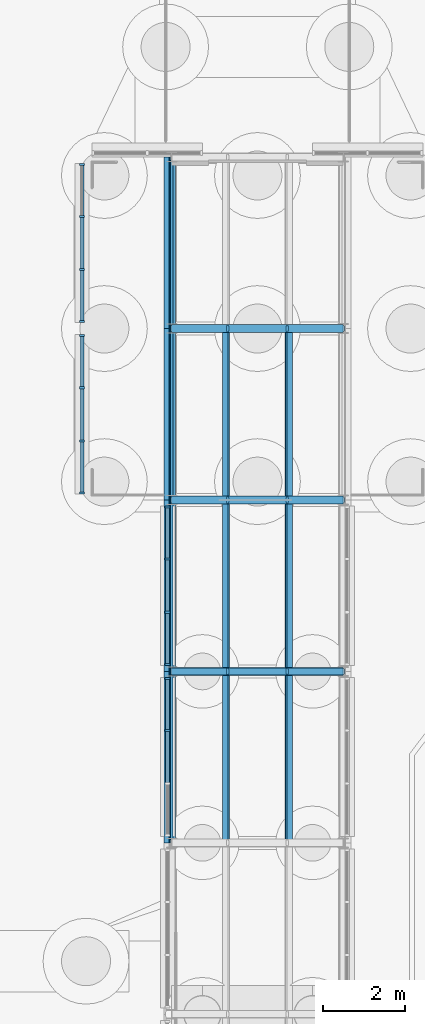
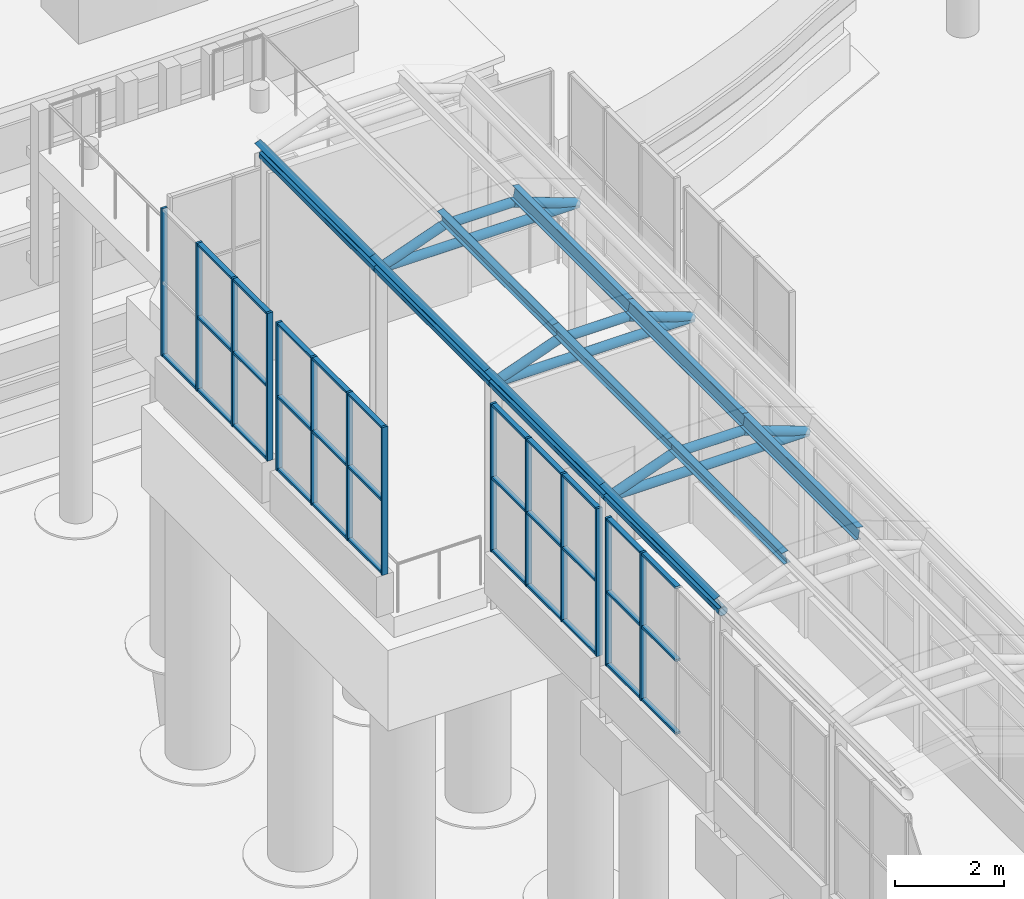
# One storey, part 70 of 222: 58 members, 13 beams, 4 elements without a shape of their own.
"""IFC4 building model written with IfcOpenShell, lengths in metres."""

import ifcopenshell
import ifcopenshell.guid

model = None  # the IFC model being written
_history = None  # IfcOwnerHistory: only IFC2X3 demands one
_inside = {}  # id of a spatial element -> (the spatial element, [elements in it])
_under = {}  # id of a project, library or spatial element -> (it, [spatial elements below it])
_declared = {}  # id of a project -> (the project, [libraries it declares])
_typed = {}  # id of a type object -> (the type object, [elements of that type])
_made_of = {}  # id of a material, layer set ... -> (it, [elements and type objects made of it])


def new_model(schema):
    """Start an empty IFC model of exactly this schema.

    Asked for "IFC4X3", IfcOpenShell would pick the latest addendum, in which some entities
    have other attributes; the version numbers below select the first issue.
    IFC2X3 requires an IfcOwnerHistory on every rooted entity: one is made here for all.
    """
    global model, _history
    if schema == "IFC4X3":
        model = ifcopenshell.file(schema_version=(4, 3, 0, 0))
    else:
        model = ifcopenshell.file(schema=schema)
    _inside.clear()
    _under.clear()
    _declared.clear()
    _typed.clear()
    _made_of.clear()
    _history = None
    if model.schema == "IFC2X3":
        org = make("IfcOrganization", Name="unknown")
        user = make(
            "IfcPersonAndOrganization",
            ThePerson=make("IfcPerson", FamilyName="unknown"),
            TheOrganization=org,
        )
        app = make(
            "IfcApplication",
            ApplicationDeveloper=org,
            Version="unknown",
            ApplicationFullName="unknown",
            ApplicationIdentifier="unknown",
        )
        _history = make(
            "IfcOwnerHistory",
            OwningUser=user,
            OwningApplication=app,
            ChangeAction="ADDED",
            CreationDate=0,
        )
    return model


def make(cls, **values):
    """One entity of the class cls with the attributes given. An attribute that is None is left unset."""
    return model.create_entity(
        cls, **{name: value for name, value in values.items() if value is not None}
    )


def rooted(cls, **values):
    """An entity with a GlobalId (a new one), such as an element, a storey or a relation."""
    return make(cls, GlobalId=ifcopenshell.guid.new(), OwnerHistory=_history, **values)


def si_unit(unit_type, name, prefix=None):
    """IfcSIUnit, for example si_unit("LENGTHUNIT", "METRE", prefix="MILLI")."""
    return make("IfcSIUnit", UnitType=unit_type, Prefix=prefix, Name=name)


def assignment(units):
    """IfcUnitAssignment: the units of a project."""
    return None if units is None else make("IfcUnitAssignment", Units=units)


def point(xyz):
    """IfcCartesianPoint."""
    return None if xyz is None else make("IfcCartesianPoint", Coordinates=xyz)


def direction(xyz):
    """IfcDirection."""
    return None if xyz is None else make("IfcDirection", DirectionRatios=xyz)


def frame(location, z_axis=None, x_axis=None):
    """IfcAxis2Placement3D, a coordinate frame: its origin and axes. An axis left out is left unset."""
    return make(
        "IfcAxis2Placement3D",
        Location=point(location),
        Axis=direction(z_axis),
        RefDirection=direction(x_axis),
    )


def frame_2d(location, x_axis=None):
    """IfcAxis2Placement2D, a coordinate frame in the plane: its origin and x axis."""
    return make(
        "IfcAxis2Placement2D", Location=point(location), RefDirection=direction(x_axis)
    )


def origin():
    """The frame at (0, 0, 0) with its axes left unset."""
    return frame((0.0, 0.0, 0.0))


def origin_2d():
    """The frame at (0, 0) in the plane with its x axis left unset."""
    return frame_2d((0.0, 0.0))


def place(relative_to, where):
    """IfcLocalPlacement: puts the frame where relative to a parent placement (None: the world)."""
    return make(
        "IfcLocalPlacement", PlacementRelTo=relative_to, RelativePlacement=where
    )


def context(
    kind, dimensions, precision=None, world=None, true_north=None, identifier=None
):
    """IfcGeometricRepresentationContext, for example the 3D "Model" context."""
    return make(
        "IfcGeometricRepresentationContext",
        ContextIdentifier=identifier,
        ContextType=kind,
        CoordinateSpaceDimension=dimensions,
        Precision=precision,
        WorldCoordinateSystem=world,
        TrueNorth=true_north,
    )


def subcontext(parent, identifier, kind, view, scale=None):
    """IfcGeometricRepresentationSubContext, for example "Body" below "Model"."""
    return make(
        "IfcGeometricRepresentationSubContext",
        ContextIdentifier=identifier,
        ContextType=kind,
        ParentContext=parent,
        TargetScale=scale,
        TargetView=view,
    )


def project(units=None, contexts=None):
    """IfcProject with its units and contexts."""
    return rooted(
        "IfcProject",
        Name="project",
        RepresentationContexts=contexts,
        UnitsInContext=assignment(units),
    )


def spatial(cls, under=None, at=None, **own):
    """A site, building, storey or space (cls), placed at a placement, below another one or the project."""
    s = rooted(cls, ObjectPlacement=at, **own)
    if under is not None:
        _under.setdefault(under.id(), (under, []))[1].append(s)
    return s


def profile(cls, at=None, kind="AREA", **sizes):
    """A parametric profile (cls). Its sizes go by their IFC names, for example OverallWidth=200.0."""
    return make(cls, ProfileType=kind, Position=at, **sizes)


def rectangle(**sizes):
    """IfcRectangleProfileDef."""
    return profile("IfcRectangleProfileDef", **sizes)


def hollow_circle(**sizes):
    """IfcCircleHollowProfileDef."""
    return profile("IfcCircleHollowProfileDef", **sizes)


def i_section(**sizes):
    """IfcIShapeProfileDef."""
    return profile("IfcIShapeProfileDef", **sizes)


def extrude(swept, where, along, depth):
    """IfcExtrudedAreaSolid: the profile swept, set in the frame where, extruded along a direction by depth."""
    return make(
        "IfcExtrudedAreaSolid",
        SweptArea=swept,
        Position=where,
        ExtrudedDirection=direction(along),
        Depth=depth,
    )


def shape(context_of_items, identifier, shape_type, items):
    """IfcShapeRepresentation: the items that make up one representation, for example the "Body"."""
    return make(
        "IfcShapeRepresentation",
        ContextOfItems=context_of_items,
        RepresentationIdentifier=identifier,
        RepresentationType=shape_type,
        Items=items,
    )


def material(Name=None, Category=None):
    """IfcMaterial."""
    return make("IfcMaterial", Name=Name, Category=Category)


def material_profile(
    of_material, cross_section, Name=None, Category=None, Priority=None
):
    """IfcMaterialProfile: a cross section and its material."""
    return make(
        "IfcMaterialProfile",
        Name=Name,
        Material=of_material,
        Profile=cross_section,
        Priority=Priority,
        Category=Category,
    )


def profile_set(profiles, Name=None, composite=None):
    """IfcMaterialProfileSet."""
    return make(
        "IfcMaterialProfileSet",
        Name=Name,
        MaterialProfiles=profiles,
        CompositeProfile=composite,
    )


def made_of(thing, what):
    """Note that an element or type object is made of a material, layer set ...; save() writes the relation."""
    if what is not None:
        _made_of.setdefault(what.id(), (what, []))[1].append(thing)
    return thing


def type_object(cls, material=None, **own):
    """A type object (cls), such as IfcWallType, which elements share."""
    return made_of(rooted(cls, **own), material)


def element(
    cls,
    number,
    at=None,
    inside=None,
    cuts=None,
    type_object=None,
    material=None,
    context=None,
    identifier="Body",
    shape_type=None,
    held_by="IfcProductDefinitionShape",
    body=None,
    shapes=None,
    **own,
):
    """One element of the class cls, such as IfcWall. Its Tag is "e" and its number.

    at: its placement. inside: the storey or other place that contains it. cuts: it is an
    opening in that element (IfcRelVoidsElement). A single representation is given by context,
    identifier, shape_type and body (its items); several are given by shapes. held_by: the class
    of the entity that holds the representations. save() writes the other relations.
    """
    e = rooted(cls, Tag="e%d" % number, ObjectPlacement=at, **own)
    if body is not None:
        shapes = [shape(context, identifier, shape_type, body)]
    if shapes is not None:
        e.Representation = make(held_by, Representations=shapes)
    if inside is not None:
        _inside.setdefault(inside.id(), (inside, []))[1].append(e)
    if cuts is not None:
        rooted(
            "IfcRelVoidsElement", RelatingBuildingElement=cuts, RelatedOpeningElement=e
        )
    if type_object is not None:
        _typed.setdefault(type_object.id(), (type_object, []))[1].append(e)
    return made_of(e, material)


def aggregate(whole, parts):
    """IfcRelAggregates: a whole, such as a stair, and the parts it consists of."""
    return rooted("IfcRelAggregates", RelatingObject=whole, RelatedObjects=parts)


def save(model, path):
    """Write the relations noted so far, then the file.

    IfcRelAggregates (storeys below a building ...), IfcRelContainedInSpatialStructure (elements
    in a storey), IfcRelDefinesByType, IfcRelAssociatesMaterial and IfcRelDeclares: one each for
    every whole, place, type object, material and project.
    """
    for whole, parts in _under.values():
        aggregate(whole, parts)
    for where, things in _inside.values():
        rooted(
            "IfcRelContainedInSpatialStructure",
            RelatedElements=things,
            RelatingStructure=where,
        )
    for kind, things in _typed.values():
        rooted("IfcRelDefinesByType", RelatedObjects=things, RelatingType=kind)
    for what, things in _made_of.values():
        rooted("IfcRelAssociatesMaterial", RelatedObjects=things, RelatingMaterial=what)
    for by, libraries in _declared.values():
        rooted("IfcRelDeclares", RelatingContext=by, RelatedDefinitions=libraries)
    model.write(path)


model = new_model("IFC4")

# Units and contexts
model_context = context("Model", 3, precision=1e-05, world=origin(), true_north=direction((0.0, 1.0)))
body_context = subcontext(model_context, "Body", "Model", "MODEL_VIEW")
ifc_project = project(units=[si_unit("LENGTHUNIT", "METRE"), si_unit("AREAUNIT", "SQUARE_METRE"), si_unit("VOLUMEUNIT", "CUBIC_METRE"), si_unit("PLANEANGLEUNIT", "RADIAN"), si_unit("MASSUNIT", "GRAM", prefix="KILO")], contexts=[model_context])

# Site, building, storey
site_placement = place(None, origin())
site = spatial("IfcSite", under=ifc_project, at=site_placement, CompositionType="ELEMENT")
building_placement = place(site_placement, origin())
building = spatial("IfcBuilding", under=site, at=building_placement, Name="Sava Quay Ferry Terminal", CompositionType="ELEMENT")
storey_placement = place(building_placement, origin())
storey = spatial("IfcBuildingStorey", under=building, at=storey_placement, Name="L00", CompositionType="ELEMENT", Elevation=0.0)

# Beams
ifc_material_1 = material(Name="Steel S355", Category="steel")
ifc_material_profile_1 = material_profile(ifc_material_1, hollow_circle(Radius=0.096923828125, WallThickness=0.008056640625, at=origin_2d()), Name="CHS 193.7 x 8.0")
ifc_profile_set_1 = profile_set([ifc_material_profile_1], Name="Steel S355")
beam_type_1 = type_object("IfcBeamType", Name="Gallery eave beam CHS 193.7x8", PredefinedType="BEAM", material=ifc_profile_set_1)
for number, where, z_axis, x_axis, name in (
    (1, (75.60009765625, 126.0, 4.5), (0.0, 1.0, 0.0), (-1.0, 0.0, 0.0), "Boarding gallery B2 eave beam L5"),
    (2, (75.60009765625, 130.199951171875, 4.5), (0.0, 1.0, 0.0), (-1.0, 0.0, 0.0), "Boarding gallery B2 eave beam L6"),
):
    element("IfcBeam", number, at=place(storey_placement, frame(where, z_axis=z_axis, x_axis=x_axis)), inside=storey, type_object=beam_type_1, Name=name, PredefinedType="BEAM", context=body_context, shape_type="SweptSolid", body=[
        extrude(hollow_circle(Radius=0.096923828125, WallThickness=0.008056640625, at=origin_2d()), origin(), (0.0, 0.0, 1.0), 4.199951171875),
    ])
beam_1_placement = place(storey_placement, frame((75.60009765625, 134.39990234375, 4.5), z_axis=(0.0, 1.0, 0.0), x_axis=(-1.0, 0.0, 0.0)))
element("IfcBeam", 3, at=beam_1_placement, inside=storey, type_object=beam_type_1, Name="Boarding gallery B2 eave beam L7", PredefinedType="BEAM", context=body_context, shape_type="SweptSolid", body=[
    extrude(hollow_circle(Radius=0.096923828125, WallThickness=0.008056640625, at=origin_2d()), origin(), (0.0, 0.0, 1.0), 4.2001953125),
])
beam_2_placement = place(storey_placement, frame((75.60009765625, 138.60009765625, 4.5), z_axis=(0.0, 1.0, 0.0), x_axis=(-1.0, 0.0, 0.0)))
element("IfcBeam", 4, at=beam_2_placement, inside=storey, type_object=beam_type_1, Name="Boarding gallery B2 eave beam L8", PredefinedType="BEAM", context=body_context, shape_type="SweptSolid", body=[
    extrude(hollow_circle(Radius=0.096923828125, WallThickness=0.008056640625, at=origin_2d()), origin(), (0.0, 0.0, 1.0), 4.199951171875),
])

# Members
ifc_material_2 = material(Name="Steel S355", Category="steel")
ifc_material_profile_2 = material_profile(ifc_material_2, i_section(OverallWidth=0.135009765625, OverallDepth=0.27001953125, WebThickness=0.006591796875, FlangeThickness=0.01025390625, at=origin_2d()), Name="IPE 270")
ifc_profile_set_2 = profile_set([ifc_material_profile_2], Name="Steel S355")
member_type_1 = type_object("IfcMemberType", Name="Gallery purlin IPE 270", PredefinedType="PURLIN", material=ifc_profile_set_2)
for number, where, z_axis, x_axis, name in (
    (5, (75.520751953125, 126.0, 4.718017578125), (0.0, 1.0, 0.0), (-0.939692620786, 0.0, -0.342020143326), "Boarding gallery B2 edge purlin bay 5 V0"),
    (6, (76.9296875, 126.0, 5.230712890625), (0.0, 1.0, 0.0), (-0.984807753012, 0.0, -0.173648177667), "Boarding gallery B2 purlin bay 5 V1"),
    (7, (78.47021484375, 126.0, 5.230712890625), (0.0, 1.0, 0.0), (-0.984807753012, 0.0, 0.173648177667), "Boarding gallery B2 purlin bay 5 V2"),
    (8, (75.520751953125, 130.199951171875, 4.718017578125), (0.0, 1.0, 0.0), (-0.939692620786, 0.0, -0.342020143326), "Boarding gallery B2 edge purlin bay 6 V0"),
    (9, (76.9296875, 130.199951171875, 5.230712890625), (0.0, 1.0, 0.0), (-0.984807753012, 0.0, -0.173648177667), "Boarding gallery B2 purlin bay 6 V1"),
    (10, (78.47021484375, 130.199951171875, 5.230712890625), (0.0, 1.0, 0.0), (-0.984807753012, 0.0, 0.173648177667), "Boarding gallery B2 purlin bay 6 V2"),
):
    element("IfcMember", number, at=place(storey_placement, frame(where, z_axis=z_axis, x_axis=x_axis)), inside=storey, type_object=member_type_1, Name=name, PredefinedType="PURLIN", context=body_context, shape_type="SweptSolid", body=[
        extrude(i_section(OverallWidth=0.135009765625, OverallDepth=0.27001953125, WebThickness=0.006591796875, FlangeThickness=0.01025390625, at=origin_2d()), origin(), (0.0, 0.0, 1.0), 4.199951171875),
    ])
for number, where, z_axis, x_axis, name in (
    (11, (75.520751953125, 134.39990234375, 4.718017578125), (0.0, 1.0, 0.0), (-0.939692620786, 0.0, -0.342020143326), "Boarding gallery B2 edge purlin bay 7 V0"),
    (12, (76.9296875, 134.39990234375, 5.230712890625), (0.0, 1.0, 0.0), (-0.984807753012, 0.0, -0.173648177667), "Boarding gallery B2 purlin bay 7 V1"),
    (13, (78.47021484375, 134.39990234375, 5.230712890625), (0.0, 1.0, 0.0), (-0.984807753012, 0.0, 0.173648177667), "Boarding gallery B2 purlin bay 7 V2"),
):
    element("IfcMember", number, at=place(storey_placement, frame(where, z_axis=z_axis, x_axis=x_axis)), inside=storey, type_object=member_type_1, Name=name, PredefinedType="PURLIN", context=body_context, shape_type="SweptSolid", body=[
        extrude(i_section(OverallWidth=0.135009765625, OverallDepth=0.27001953125, WebThickness=0.006591796875, FlangeThickness=0.01025390625, at=origin_2d()), origin(), (0.0, 0.0, 1.0), 4.2001953125),
    ])
member_1_placement = place(storey_placement, frame((75.520751953125, 138.60009765625, 4.718017578125), z_axis=(0.0, 1.0, 0.0), x_axis=(-0.939692620786, 0.0, -0.342020143326)))
element("IfcMember", 14, at=member_1_placement, inside=storey, type_object=member_type_1, Name="Boarding gallery B2 edge purlin bay 8 V0", PredefinedType="PURLIN", context=body_context, shape_type="SweptSolid", body=[
    extrude(i_section(OverallWidth=0.135009765625, OverallDepth=0.27001953125, WebThickness=0.006591796875, FlangeThickness=0.01025390625, at=origin_2d()), origin(), (0.0, 0.0, 1.0), 4.199951171875),
])

# Beams
ifc_material_3 = material(Name="Steel S355", Category="steel")
ifc_material_profile_3 = material_profile(ifc_material_3, hollow_circle(Radius=0.096923828125, WallThickness=0.008056640625, at=origin_2d()), Name="CHS 193.7 x 8.0")
ifc_profile_set_3 = profile_set([ifc_material_profile_3], Name="Steel S355")
beam_type_2 = type_object("IfcBeamType", Name="Gallery rib CHS 193.7x8", PredefinedType="BEAM", material=ifc_profile_set_3)
beam_3_placement = place(storey_placement, frame((75.60009765625, 130.199951171875, 4.5), z_axis=(0.939710313144, 0.0, 0.341971530059), x_axis=(0.0, 1.0, 0.0)))
element("IfcBeam", 15, at=beam_3_placement, inside=storey, type_object=beam_type_2, Name="Boarding gallery B2 arch rib R5 seg 1", PredefinedType="BEAM", context=body_context, shape_type="SweptSolid", body=[
    extrude(hollow_circle(Radius=0.096923828125, WallThickness=0.008056640625, at=origin_2d()), origin(), (0.0, 0.0, 1.0), 1.45849609375),
])
beam_4_placement = place(storey_placement, frame((76.970703125, 130.199951171875, 4.998779296875), z_axis=(1.0, 0.0, 0.0), x_axis=(0.0, 1.0, 0.0)))
element("IfcBeam", 16, at=beam_4_placement, inside=storey, type_object=beam_type_2, Name="Boarding gallery B2 arch rib R5 seg 2", PredefinedType="BEAM", context=body_context, shape_type="SweptSolid", body=[
    extrude(hollow_circle(Radius=0.096923828125, WallThickness=0.008056640625, at=origin_2d()), origin(), (0.0, 0.0, 1.0), 1.458740234375),
])
for number, where, z_axis, x_axis, name in (
    (17, (78.429443359375, 130.199951171875, 4.998779296875), (0.939710313144, 0.0, -0.341971530059), (0.0, 1.0, 0.0), "Boarding gallery B2 arch rib R5 seg 3"),
    (18, (75.60009765625, 134.39990234375, 4.5), (0.939710313144, 0.0, 0.341971530059), (0.0, 1.0, 0.0), "Boarding gallery B2 arch rib R6 seg 1"),
):
    element("IfcBeam", number, at=place(storey_placement, frame(where, z_axis=z_axis, x_axis=x_axis)), inside=storey, type_object=beam_type_2, Name=name, PredefinedType="BEAM", context=body_context, shape_type="SweptSolid", body=[
        extrude(hollow_circle(Radius=0.096923828125, WallThickness=0.008056640625, at=origin_2d()), origin(), (0.0, 0.0, 1.0), 1.45849609375),
    ])
beam_5_placement = place(storey_placement, frame((76.970703125, 134.39990234375, 4.998779296875), z_axis=(1.0, 0.0, 0.0), x_axis=(0.0, 1.0, 0.0)))
element("IfcBeam", 19, at=beam_5_placement, inside=storey, type_object=beam_type_2, Name="Boarding gallery B2 arch rib R6 seg 2", PredefinedType="BEAM", context=body_context, shape_type="SweptSolid", body=[
    extrude(hollow_circle(Radius=0.096923828125, WallThickness=0.008056640625, at=origin_2d()), origin(), (0.0, 0.0, 1.0), 1.458740234375),
])
for number, where, z_axis, x_axis, name in (
    (20, (78.429443359375, 134.39990234375, 4.998779296875), (0.939710313144, 0.0, -0.341971530059), (0.0, 1.0, 0.0), "Boarding gallery B2 arch rib R6 seg 3"),
    (21, (75.60009765625, 138.60009765625, 4.5), (0.939710313144, 0.0, 0.341971530059), (0.0, 1.0, 0.0), "Boarding gallery B2 arch rib R7 seg 1"),
):
    element("IfcBeam", number, at=place(storey_placement, frame(where, z_axis=z_axis, x_axis=x_axis)), inside=storey, type_object=beam_type_2, Name=name, PredefinedType="BEAM", context=body_context, shape_type="SweptSolid", body=[
        extrude(hollow_circle(Radius=0.096923828125, WallThickness=0.008056640625, at=origin_2d()), origin(), (0.0, 0.0, 1.0), 1.45849609375),
    ])
beam_6_placement = place(storey_placement, frame((76.970703125, 138.60009765625, 4.998779296875), z_axis=(1.0, 0.0, 0.0), x_axis=(0.0, 1.0, 0.0)))
element("IfcBeam", 22, at=beam_6_placement, inside=storey, type_object=beam_type_2, Name="Boarding gallery B2 arch rib R7 seg 2", PredefinedType="BEAM", context=body_context, shape_type="SweptSolid", body=[
    extrude(hollow_circle(Radius=0.096923828125, WallThickness=0.008056640625, at=origin_2d()), origin(), (0.0, 0.0, 1.0), 1.458740234375),
])
beam_7_placement = place(storey_placement, frame((78.429443359375, 138.60009765625, 4.998779296875), z_axis=(0.939710313144, 0.0, -0.341971530059), x_axis=(0.0, 1.0, 0.0)))
element("IfcBeam", 23, at=beam_7_placement, inside=storey, type_object=beam_type_2, Name="Boarding gallery B2 arch rib R7 seg 3", PredefinedType="BEAM", context=body_context, shape_type="SweptSolid", body=[
    extrude(hollow_circle(Radius=0.096923828125, WallThickness=0.008056640625, at=origin_2d()), origin(), (0.0, 0.0, 1.0), 1.45849609375),
])

# Members
ifc_material_4 = material(Name="Steel S355", Category="steel")
ifc_material_profile_4 = material_profile(ifc_material_4, hollow_circle(Radius=0.096923828125, WallThickness=0.008056640625, at=origin_2d()), Name="CHS 193.7 x 8.0")
ifc_profile_set_4 = profile_set([ifc_material_profile_4], Name="Steel S355")
member_type_2 = type_object("IfcMemberType", Name="Gallery tie CHS 193.7x8", PredefinedType="USERDEFINED", material=ifc_profile_set_4)
for number, where, z_axis, x_axis, name in (
    (24, (75.60009765625, 130.199951171875, 4.5), (1.0, 0.0, 0.0), (0.0, 1.0, 0.0), "Boarding gallery B2 arch tie R5"),
    (25, (75.60009765625, 134.39990234375, 4.5), (1.0, 0.0, 0.0), (0.0, 1.0, 0.0), "Boarding gallery B2 arch tie R6"),
    (26, (75.60009765625, 138.60009765625, 4.5), (1.0, 0.0, 0.0), (0.0, 1.0, 0.0), "Boarding gallery B2 arch tie R7"),
):
    element("IfcMember", number, at=place(storey_placement, frame(where, z_axis=z_axis, x_axis=x_axis)), inside=storey, type_object=member_type_2, Name=name, ObjectType="ARCH TIE", PredefinedType="USERDEFINED", context=body_context, shape_type="SweptSolid", body=[
        extrude(hollow_circle(Radius=0.096923828125, WallThickness=0.008056640625, at=origin_2d()), origin(), (0.0, 0.0, 1.0), 4.199951171875),
    ])

# Curtain wall, members
ifc_material_5 = material(Name="Aluminium and glass curtain wall, double glazed", Category="aluminium")
curtain_wall_type = type_object("IfcCurtainWallType", Name="Curtain wall CW-B gallery", PredefinedType="NOTDEFINED", material=ifc_material_5)
curtain_wall_1_placement = place(storey_placement, origin())
curtain_wall_1 = element("IfcCurtainWall", 27, at=curtain_wall_1_placement, inside=storey, type_object=curtain_wall_type, Name="Curtain wall B2-HW L00 bay 1", PredefinedType="NOTDEFINED")
ifc_material_6 = material(Name="Aluminium EN AW-6063 T6", Category="aluminium")
ifc_material_profile_5 = material_profile(ifc_material_6, rectangle(XDim=0.1201171875, YDim=0.050048828125, at=origin_2d()), Name="Mullion 50x120 aluminium")
ifc_profile_set_5 = profile_set([ifc_material_profile_5], Name="Aluminium EN AW-6063 T6")
member_type_3 = type_object("IfcMemberType", Name="Mullion 50x120 aluminium", PredefinedType="MULLION", material=ifc_profile_set_5)
member_2_placement = place(storey_placement, frame((73.39990234375, 134.574951171875, 0.89990234375), z_axis=(0.0, 0.0, 1.0), x_axis=(-1.0, 0.0, 0.0)))
member_2 = element("IfcMember", 28, at=member_2_placement, type_object=member_type_3, Name="CW29 mullion 1", PredefinedType="MULLION", context=body_context, shape_type="SweptSolid", body=[
    extrude(rectangle(XDim=0.1201171875, YDim=0.050048828125, at=origin_2d()), origin(), (0.0, 0.0, 1.0), 3.300048828125),
])
member_3_placement = place(storey_placement, frame((73.39990234375, 135.85009765625, 0.89990234375), z_axis=(0.0, 0.0, 1.0), x_axis=(-1.0, 0.0, 0.0)))
member_3 = element("IfcMember", 29, at=member_3_placement, type_object=member_type_3, Name="CW29 mullion 2", PredefinedType="MULLION", context=body_context, shape_type="SweptSolid", body=[
    extrude(rectangle(XDim=0.1201171875, YDim=0.050048828125, at=origin_2d()), origin(), (0.0, 0.0, 1.0), 3.300048828125),
])
member_4_placement = place(storey_placement, frame((73.39990234375, 137.14990234375, 0.89990234375), z_axis=(0.0, 0.0, 1.0), x_axis=(-1.0, 0.0, 0.0)))
member_4 = element("IfcMember", 30, at=member_4_placement, type_object=member_type_3, Name="CW29 mullion 3", PredefinedType="MULLION", context=body_context, shape_type="SweptSolid", body=[
    extrude(rectangle(XDim=0.1201171875, YDim=0.050048828125, at=origin_2d()), origin(), (0.0, 0.0, 1.0), 3.300048828125),
])
member_5_placement = place(storey_placement, frame((73.39990234375, 138.425048828125, 0.89990234375), z_axis=(0.0, 0.0, 1.0), x_axis=(-1.0, 0.0, 0.0)))
member_5 = element("IfcMember", 31, at=member_5_placement, type_object=member_type_3, Name="CW29 mullion 4", PredefinedType="MULLION", context=body_context, shape_type="SweptSolid", body=[
    extrude(rectangle(XDim=0.1201171875, YDim=0.050048828125, at=origin_2d()), origin(), (0.0, 0.0, 1.0), 3.300048828125),
])

curtain_wall_2_placement = place(storey_placement, origin())
curtain_wall_2 = element("IfcCurtainWall", 32, at=curtain_wall_2_placement, inside=storey, type_object=curtain_wall_type, Name="Curtain wall B2-HW L00 bay 2", PredefinedType="NOTDEFINED")
member_6_placement = place(storey_placement, frame((73.39990234375, 138.77490234375, 0.89990234375), z_axis=(0.0, 0.0, 1.0), x_axis=(-1.0, 0.0, 0.0)))
member_6 = element("IfcMember", 33, at=member_6_placement, type_object=member_type_3, Name="CW30 mullion 1", PredefinedType="MULLION", context=body_context, shape_type="SweptSolid", body=[
    extrude(rectangle(XDim=0.1201171875, YDim=0.050048828125, at=origin_2d()), origin(), (0.0, 0.0, 1.0), 3.300048828125),
])
member_7_placement = place(storey_placement, frame((73.39990234375, 140.050048828125, 0.89990234375), z_axis=(0.0, 0.0, 1.0), x_axis=(-1.0, 0.0, 0.0)))
member_7 = element("IfcMember", 34, at=member_7_placement, type_object=member_type_3, Name="CW30 mullion 2", PredefinedType="MULLION", context=body_context, shape_type="SweptSolid", body=[
    extrude(rectangle(XDim=0.1201171875, YDim=0.050048828125, at=origin_2d()), origin(), (0.0, 0.0, 1.0), 3.300048828125),
])
member_8_placement = place(storey_placement, frame((73.39990234375, 141.35009765625, 0.89990234375), z_axis=(0.0, 0.0, 1.0), x_axis=(-1.0, 0.0, 0.0)))
member_8 = element("IfcMember", 35, at=member_8_placement, type_object=member_type_3, Name="CW30 mullion 3", PredefinedType="MULLION", context=body_context, shape_type="SweptSolid", body=[
    extrude(rectangle(XDim=0.1201171875, YDim=0.050048828125, at=origin_2d()), origin(), (0.0, 0.0, 1.0), 3.300048828125),
])
member_9_placement = place(storey_placement, frame((73.39990234375, 142.625, 0.89990234375), z_axis=(0.0, 0.0, 1.0), x_axis=(-1.0, 0.0, 0.0)))
member_9 = element("IfcMember", 36, at=member_9_placement, type_object=member_type_3, Name="CW30 mullion 4", PredefinedType="MULLION", context=body_context, shape_type="SweptSolid", body=[
    extrude(rectangle(XDim=0.1201171875, YDim=0.050048828125, at=origin_2d()), origin(), (0.0, 0.0, 1.0), 3.300048828125),
])

curtain_wall_3_placement = place(storey_placement, origin())
curtain_wall_3 = element("IfcCurtainWall", 37, at=curtain_wall_3_placement, inside=storey, type_object=curtain_wall_type, Name="Curtain wall B2-W L00 bay 5", PredefinedType="NOTDEFINED")
member_10_placement = place(storey_placement, frame((75.5, 128.75, 0.89990234375), z_axis=(0.0, 0.0, 1.0), x_axis=(-1.0, 0.0, 0.0)))
member_10 = element("IfcMember", 38, at=member_10_placement, type_object=member_type_3, Name="CW35 mullion 3", PredefinedType="MULLION", context=body_context, shape_type="SweptSolid", body=[
    extrude(rectangle(XDim=0.1201171875, YDim=0.050048828125, at=origin_2d()), origin(), (0.0, 0.0, 1.0), 3.300048828125),
])
member_11_placement = place(storey_placement, frame((75.5, 130.02490234375, 0.89990234375), z_axis=(0.0, 0.0, 1.0), x_axis=(-1.0, 0.0, 0.0)))
member_11 = element("IfcMember", 39, at=member_11_placement, type_object=member_type_3, Name="CW35 mullion 4", PredefinedType="MULLION", context=body_context, shape_type="SweptSolid", body=[
    extrude(rectangle(XDim=0.1201171875, YDim=0.050048828125, at=origin_2d()), origin(), (0.0, 0.0, 1.0), 3.300048828125),
])

curtain_wall_4_placement = place(storey_placement, origin())
curtain_wall_4 = element("IfcCurtainWall", 40, at=curtain_wall_4_placement, inside=storey, type_object=curtain_wall_type, Name="Curtain wall B2-W L00 bay 6", PredefinedType="NOTDEFINED")
member_12_placement = place(storey_placement, frame((75.5, 130.375, 0.89990234375), z_axis=(0.0, 0.0, 1.0), x_axis=(-1.0, 0.0, 0.0)))
member_12 = element("IfcMember", 41, at=member_12_placement, type_object=member_type_3, Name="CW36 mullion 1", PredefinedType="MULLION", context=body_context, shape_type="SweptSolid", body=[
    extrude(rectangle(XDim=0.1201171875, YDim=0.050048828125, at=origin_2d()), origin(), (0.0, 0.0, 1.0), 3.300048828125),
])
member_13_placement = place(storey_placement, frame((75.5, 131.64990234375, 0.89990234375), z_axis=(0.0, 0.0, 1.0), x_axis=(-1.0, 0.0, 0.0)))
member_13 = element("IfcMember", 42, at=member_13_placement, type_object=member_type_3, Name="CW36 mullion 2", PredefinedType="MULLION", context=body_context, shape_type="SweptSolid", body=[
    extrude(rectangle(XDim=0.1201171875, YDim=0.050048828125, at=origin_2d()), origin(), (0.0, 0.0, 1.0), 3.300048828125),
])
member_14_placement = place(storey_placement, frame((75.5, 132.949951171875, 0.89990234375), z_axis=(0.0, 0.0, 1.0), x_axis=(-1.0, 0.0, 0.0)))
member_14 = element("IfcMember", 43, at=member_14_placement, type_object=member_type_3, Name="CW36 mullion 3", PredefinedType="MULLION", context=body_context, shape_type="SweptSolid", body=[
    extrude(rectangle(XDim=0.1201171875, YDim=0.050048828125, at=origin_2d()), origin(), (0.0, 0.0, 1.0), 3.300048828125),
])
member_15_placement = place(storey_placement, frame((75.5, 134.22509765625, 0.89990234375), z_axis=(0.0, 0.0, 1.0), x_axis=(-1.0, 0.0, 0.0)))
member_15 = element("IfcMember", 44, at=member_15_placement, type_object=member_type_3, Name="CW36 mullion 4", PredefinedType="MULLION", context=body_context, shape_type="SweptSolid", body=[
    extrude(rectangle(XDim=0.1201171875, YDim=0.050048828125, at=origin_2d()), origin(), (0.0, 0.0, 1.0), 3.300048828125),
])

# Member
ifc_material_7 = material(Name="Aluminium EN AW-6063 T6", Category="aluminium")
ifc_material_profile_6 = material_profile(ifc_material_7, rectangle(XDim=0.10009765625, YDim=0.050048828125, at=origin_2d()), Name="Transom 50x100 aluminium")
ifc_profile_set_6 = profile_set([ifc_material_profile_6], Name="Aluminium EN AW-6063 T6")
member_type_4 = type_object("IfcMemberType", Name="Transom 50x100 aluminium", PredefinedType="USERDEFINED", material=ifc_profile_set_6)
member_16_placement = place(storey_placement, frame((73.39990234375, 134.60009765625, 0.925048828125), z_axis=(0.0, 1.0, 0.0), x_axis=(-1.0, 0.0, 0.0)))
member_16 = element("IfcMember", 45, at=member_16_placement, type_object=member_type_4, Name="CW29 transom 1.1", ObjectType="TRANSOM", PredefinedType="USERDEFINED", context=body_context, shape_type="SweptSolid", body=[
    extrude(rectangle(XDim=0.10009765625, YDim=0.050048828125, at=origin_2d()), origin(), (0.0, 0.0, 1.0), 1.224853515625),
])

member_17_placement = place(storey_placement, frame((73.39990234375, 134.60009765625, 2.550048828125), z_axis=(0.0, 1.0, 0.0), x_axis=(-1.0, 0.0, 0.0)))
member_17 = element("IfcMember", 46, at=member_17_placement, type_object=member_type_4, Name="CW29 transom 1.2", ObjectType="TRANSOM", PredefinedType="USERDEFINED", context=body_context, shape_type="SweptSolid", body=[
    extrude(rectangle(XDim=0.10009765625, YDim=0.050048828125, at=origin_2d()), origin(), (0.0, 0.0, 1.0), 1.224853515625),
])

member_18_placement = place(storey_placement, frame((73.39990234375, 134.60009765625, 4.175048828125), z_axis=(0.0, 1.0, 0.0), x_axis=(-1.0, 0.0, 0.0)))
member_18 = element("IfcMember", 47, at=member_18_placement, type_object=member_type_4, Name="CW29 transom 1.3", ObjectType="TRANSOM", PredefinedType="USERDEFINED", context=body_context, shape_type="SweptSolid", body=[
    extrude(rectangle(XDim=0.10009765625, YDim=0.050048828125, at=origin_2d()), origin(), (0.0, 0.0, 1.0), 1.224853515625),
])

member_19_placement = place(storey_placement, frame((73.39990234375, 135.875, 0.925048828125), z_axis=(0.0, 1.0, 0.0), x_axis=(-1.0, 0.0, 0.0)))
member_19 = element("IfcMember", 48, at=member_19_placement, type_object=member_type_4, Name="CW29 transom 2.1", ObjectType="TRANSOM", PredefinedType="USERDEFINED", context=body_context, shape_type="SweptSolid", body=[
    extrude(rectangle(XDim=0.10009765625, YDim=0.050048828125, at=origin_2d()), origin(), (0.0, 0.0, 1.0), 1.25),
])

member_20_placement = place(storey_placement, frame((73.39990234375, 135.875, 2.550048828125), z_axis=(0.0, 1.0, 0.0), x_axis=(-1.0, 0.0, 0.0)))
member_20 = element("IfcMember", 49, at=member_20_placement, type_object=member_type_4, Name="CW29 transom 2.2", ObjectType="TRANSOM", PredefinedType="USERDEFINED", context=body_context, shape_type="SweptSolid", body=[
    extrude(rectangle(XDim=0.10009765625, YDim=0.050048828125, at=origin_2d()), origin(), (0.0, 0.0, 1.0), 1.25),
])

member_21_placement = place(storey_placement, frame((73.39990234375, 135.875, 4.175048828125), z_axis=(0.0, 1.0, 0.0), x_axis=(-1.0, 0.0, 0.0)))
member_21 = element("IfcMember", 50, at=member_21_placement, type_object=member_type_4, Name="CW29 transom 2.3", ObjectType="TRANSOM", PredefinedType="USERDEFINED", context=body_context, shape_type="SweptSolid", body=[
    extrude(rectangle(XDim=0.10009765625, YDim=0.050048828125, at=origin_2d()), origin(), (0.0, 0.0, 1.0), 1.25),
])

member_22_placement = place(storey_placement, frame((73.39990234375, 137.175048828125, 0.925048828125), z_axis=(0.0, 1.0, 0.0), x_axis=(-1.0, 0.0, 0.0)))
member_22 = element("IfcMember", 51, at=member_22_placement, type_object=member_type_4, Name="CW29 transom 3.1", ObjectType="TRANSOM", PredefinedType="USERDEFINED", context=body_context, shape_type="SweptSolid", body=[
    extrude(rectangle(XDim=0.10009765625, YDim=0.050048828125, at=origin_2d()), origin(), (0.0, 0.0, 1.0), 1.224853515625),
])

member_23_placement = place(storey_placement, frame((73.39990234375, 137.175048828125, 2.550048828125), z_axis=(0.0, 1.0, 0.0), x_axis=(-1.0, 0.0, 0.0)))
member_23 = element("IfcMember", 52, at=member_23_placement, type_object=member_type_4, Name="CW29 transom 3.2", ObjectType="TRANSOM", PredefinedType="USERDEFINED", context=body_context, shape_type="SweptSolid", body=[
    extrude(rectangle(XDim=0.10009765625, YDim=0.050048828125, at=origin_2d()), origin(), (0.0, 0.0, 1.0), 1.224853515625),
])

member_24_placement = place(storey_placement, frame((73.39990234375, 137.175048828125, 4.175048828125), z_axis=(0.0, 1.0, 0.0), x_axis=(-1.0, 0.0, 0.0)))
member_24 = element("IfcMember", 53, at=member_24_placement, type_object=member_type_4, Name="CW29 transom 3.3", ObjectType="TRANSOM", PredefinedType="USERDEFINED", context=body_context, shape_type="SweptSolid", body=[
    extrude(rectangle(XDim=0.10009765625, YDim=0.050048828125, at=origin_2d()), origin(), (0.0, 0.0, 1.0), 1.224853515625),
])

aggregate(curtain_wall_1, [member_2, member_3, member_4, member_5, member_16, member_17, member_18, member_19, member_20, member_21, member_22, member_23, member_24])

member_25_placement = place(storey_placement, frame((73.39990234375, 138.800048828125, 0.925048828125), z_axis=(0.0, 1.0, 0.0), x_axis=(-1.0, 0.0, 0.0)))
member_25 = element("IfcMember", 54, at=member_25_placement, type_object=member_type_4, Name="CW30 transom 1.1", ObjectType="TRANSOM", PredefinedType="USERDEFINED", context=body_context, shape_type="SweptSolid", body=[
    extrude(rectangle(XDim=0.10009765625, YDim=0.050048828125, at=origin_2d()), origin(), (0.0, 0.0, 1.0), 1.224853515625),
])

member_26_placement = place(storey_placement, frame((73.39990234375, 138.800048828125, 2.550048828125), z_axis=(0.0, 1.0, 0.0), x_axis=(-1.0, 0.0, 0.0)))
member_26 = element("IfcMember", 55, at=member_26_placement, type_object=member_type_4, Name="CW30 transom 1.2", ObjectType="TRANSOM", PredefinedType="USERDEFINED", context=body_context, shape_type="SweptSolid", body=[
    extrude(rectangle(XDim=0.10009765625, YDim=0.050048828125, at=origin_2d()), origin(), (0.0, 0.0, 1.0), 1.224853515625),
])

member_27_placement = place(storey_placement, frame((73.39990234375, 138.800048828125, 4.175048828125), z_axis=(0.0, 1.0, 0.0), x_axis=(-1.0, 0.0, 0.0)))
member_27 = element("IfcMember", 56, at=member_27_placement, type_object=member_type_4, Name="CW30 transom 1.3", ObjectType="TRANSOM", PredefinedType="USERDEFINED", context=body_context, shape_type="SweptSolid", body=[
    extrude(rectangle(XDim=0.10009765625, YDim=0.050048828125, at=origin_2d()), origin(), (0.0, 0.0, 1.0), 1.224853515625),
])

member_28_placement = place(storey_placement, frame((73.39990234375, 140.074951171875, 0.925048828125), z_axis=(0.0, 1.0, 0.0), x_axis=(-1.0, 0.0, 0.0)))
member_28 = element("IfcMember", 57, at=member_28_placement, type_object=member_type_4, Name="CW30 transom 2.1", ObjectType="TRANSOM", PredefinedType="USERDEFINED", context=body_context, shape_type="SweptSolid", body=[
    extrude(rectangle(XDim=0.10009765625, YDim=0.050048828125, at=origin_2d()), origin(), (0.0, 0.0, 1.0), 1.25),
])

member_29_placement = place(storey_placement, frame((73.39990234375, 140.074951171875, 2.550048828125), z_axis=(0.0, 1.0, 0.0), x_axis=(-1.0, 0.0, 0.0)))
member_29 = element("IfcMember", 58, at=member_29_placement, type_object=member_type_4, Name="CW30 transom 2.2", ObjectType="TRANSOM", PredefinedType="USERDEFINED", context=body_context, shape_type="SweptSolid", body=[
    extrude(rectangle(XDim=0.10009765625, YDim=0.050048828125, at=origin_2d()), origin(), (0.0, 0.0, 1.0), 1.25),
])

member_30_placement = place(storey_placement, frame((73.39990234375, 140.074951171875, 4.175048828125), z_axis=(0.0, 1.0, 0.0), x_axis=(-1.0, 0.0, 0.0)))
member_30 = element("IfcMember", 59, at=member_30_placement, type_object=member_type_4, Name="CW30 transom 2.3", ObjectType="TRANSOM", PredefinedType="USERDEFINED", context=body_context, shape_type="SweptSolid", body=[
    extrude(rectangle(XDim=0.10009765625, YDim=0.050048828125, at=origin_2d()), origin(), (0.0, 0.0, 1.0), 1.25),
])

member_31_placement = place(storey_placement, frame((73.39990234375, 141.375, 0.925048828125), z_axis=(0.0, 1.0, 0.0), x_axis=(-1.0, 0.0, 0.0)))
member_31 = element("IfcMember", 60, at=member_31_placement, type_object=member_type_4, Name="CW30 transom 3.1", ObjectType="TRANSOM", PredefinedType="USERDEFINED", context=body_context, shape_type="SweptSolid", body=[
    extrude(rectangle(XDim=0.10009765625, YDim=0.050048828125, at=origin_2d()), origin(), (0.0, 0.0, 1.0), 1.22509765625),
])

aggregate(curtain_wall_2, [member_6, member_7, member_8, member_9, member_25, member_26, member_27, member_28, member_29, member_30, member_31])

member_32_placement = place(storey_placement, frame((75.5, 127.47509765625, 0.925048828125), z_axis=(0.0, 1.0, 0.0), x_axis=(-1.0, 0.0, 0.0)))
member_32 = element("IfcMember", 61, at=member_32_placement, type_object=member_type_4, Name="CW35 transom 2.1", ObjectType="TRANSOM", PredefinedType="USERDEFINED", context=body_context, shape_type="SweptSolid", body=[
    extrude(rectangle(XDim=0.10009765625, YDim=0.050048828125, at=origin_2d()), origin(), (0.0, 0.0, 1.0), 1.25),
])

member_33_placement = place(storey_placement, frame((75.5, 127.47509765625, 2.550048828125), z_axis=(0.0, 1.0, 0.0), x_axis=(-1.0, 0.0, 0.0)))
member_33 = element("IfcMember", 62, at=member_33_placement, type_object=member_type_4, Name="CW35 transom 2.2", ObjectType="TRANSOM", PredefinedType="USERDEFINED", context=body_context, shape_type="SweptSolid", body=[
    extrude(rectangle(XDim=0.10009765625, YDim=0.050048828125, at=origin_2d()), origin(), (0.0, 0.0, 1.0), 1.25),
])

member_34_placement = place(storey_placement, frame((75.5, 127.47509765625, 4.175048828125), z_axis=(0.0, 1.0, 0.0), x_axis=(-1.0, 0.0, 0.0)))
member_34 = element("IfcMember", 63, at=member_34_placement, type_object=member_type_4, Name="CW35 transom 2.3", ObjectType="TRANSOM", PredefinedType="USERDEFINED", context=body_context, shape_type="SweptSolid", body=[
    extrude(rectangle(XDim=0.10009765625, YDim=0.050048828125, at=origin_2d()), origin(), (0.0, 0.0, 1.0), 1.25),
])

member_35_placement = place(storey_placement, frame((75.5, 128.77490234375, 0.925048828125), z_axis=(0.0, 1.0, 0.0), x_axis=(-1.0, 0.0, 0.0)))
member_35 = element("IfcMember", 64, at=member_35_placement, type_object=member_type_4, Name="CW35 transom 3.1", ObjectType="TRANSOM", PredefinedType="USERDEFINED", context=body_context, shape_type="SweptSolid", body=[
    extrude(rectangle(XDim=0.10009765625, YDim=0.050048828125, at=origin_2d()), origin(), (0.0, 0.0, 1.0), 1.22509765625),
])

member_36_placement = place(storey_placement, frame((75.5, 128.77490234375, 2.550048828125), z_axis=(0.0, 1.0, 0.0), x_axis=(-1.0, 0.0, 0.0)))
member_36 = element("IfcMember", 65, at=member_36_placement, type_object=member_type_4, Name="CW35 transom 3.2", ObjectType="TRANSOM", PredefinedType="USERDEFINED", context=body_context, shape_type="SweptSolid", body=[
    extrude(rectangle(XDim=0.10009765625, YDim=0.050048828125, at=origin_2d()), origin(), (0.0, 0.0, 1.0), 1.22509765625),
])

member_37_placement = place(storey_placement, frame((75.5, 128.77490234375, 4.175048828125), z_axis=(0.0, 1.0, 0.0), x_axis=(-1.0, 0.0, 0.0)))
member_37 = element("IfcMember", 66, at=member_37_placement, type_object=member_type_4, Name="CW35 transom 3.3", ObjectType="TRANSOM", PredefinedType="USERDEFINED", context=body_context, shape_type="SweptSolid", body=[
    extrude(rectangle(XDim=0.10009765625, YDim=0.050048828125, at=origin_2d()), origin(), (0.0, 0.0, 1.0), 1.22509765625),
])

aggregate(curtain_wall_3, [member_10, member_11, member_32, member_33, member_34, member_35, member_36, member_37])

member_38_placement = place(storey_placement, frame((75.5, 130.39990234375, 0.925048828125), z_axis=(0.0, 1.0, 0.0), x_axis=(-1.0, 0.0, 0.0)))
member_38 = element("IfcMember", 67, at=member_38_placement, type_object=member_type_4, Name="CW36 transom 1.1", ObjectType="TRANSOM", PredefinedType="USERDEFINED", context=body_context, shape_type="SweptSolid", body=[
    extrude(rectangle(XDim=0.10009765625, YDim=0.050048828125, at=origin_2d()), origin(), (0.0, 0.0, 1.0), 1.22509765625),
])

member_39_placement = place(storey_placement, frame((75.5, 130.39990234375, 2.550048828125), z_axis=(0.0, 1.0, 0.0), x_axis=(-1.0, 0.0, 0.0)))
member_39 = element("IfcMember", 68, at=member_39_placement, type_object=member_type_4, Name="CW36 transom 1.2", ObjectType="TRANSOM", PredefinedType="USERDEFINED", context=body_context, shape_type="SweptSolid", body=[
    extrude(rectangle(XDim=0.10009765625, YDim=0.050048828125, at=origin_2d()), origin(), (0.0, 0.0, 1.0), 1.22509765625),
])

member_40_placement = place(storey_placement, frame((75.5, 130.39990234375, 4.175048828125), z_axis=(0.0, 1.0, 0.0), x_axis=(-1.0, 0.0, 0.0)))
member_40 = element("IfcMember", 69, at=member_40_placement, type_object=member_type_4, Name="CW36 transom 1.3", ObjectType="TRANSOM", PredefinedType="USERDEFINED", context=body_context, shape_type="SweptSolid", body=[
    extrude(rectangle(XDim=0.10009765625, YDim=0.050048828125, at=origin_2d()), origin(), (0.0, 0.0, 1.0), 1.22509765625),
])

member_41_placement = place(storey_placement, frame((75.5, 131.675048828125, 0.925048828125), z_axis=(0.0, 1.0, 0.0), x_axis=(-1.0, 0.0, 0.0)))
member_41 = element("IfcMember", 70, at=member_41_placement, type_object=member_type_4, Name="CW36 transom 2.1", ObjectType="TRANSOM", PredefinedType="USERDEFINED", context=body_context, shape_type="SweptSolid", body=[
    extrude(rectangle(XDim=0.10009765625, YDim=0.050048828125, at=origin_2d()), origin(), (0.0, 0.0, 1.0), 1.25),
])

member_42_placement = place(storey_placement, frame((75.5, 131.675048828125, 2.550048828125), z_axis=(0.0, 1.0, 0.0), x_axis=(-1.0, 0.0, 0.0)))
member_42 = element("IfcMember", 71, at=member_42_placement, type_object=member_type_4, Name="CW36 transom 2.2", ObjectType="TRANSOM", PredefinedType="USERDEFINED", context=body_context, shape_type="SweptSolid", body=[
    extrude(rectangle(XDim=0.10009765625, YDim=0.050048828125, at=origin_2d()), origin(), (0.0, 0.0, 1.0), 1.25),
])

member_43_placement = place(storey_placement, frame((75.5, 131.675048828125, 4.175048828125), z_axis=(0.0, 1.0, 0.0), x_axis=(-1.0, 0.0, 0.0)))
member_43 = element("IfcMember", 72, at=member_43_placement, type_object=member_type_4, Name="CW36 transom 2.3", ObjectType="TRANSOM", PredefinedType="USERDEFINED", context=body_context, shape_type="SweptSolid", body=[
    extrude(rectangle(XDim=0.10009765625, YDim=0.050048828125, at=origin_2d()), origin(), (0.0, 0.0, 1.0), 1.25),
])

member_44_placement = place(storey_placement, frame((75.5, 132.97509765625, 0.925048828125), z_axis=(0.0, 1.0, 0.0), x_axis=(-1.0, 0.0, 0.0)))
member_44 = element("IfcMember", 73, at=member_44_placement, type_object=member_type_4, Name="CW36 transom 3.1", ObjectType="TRANSOM", PredefinedType="USERDEFINED", context=body_context, shape_type="SweptSolid", body=[
    extrude(rectangle(XDim=0.10009765625, YDim=0.050048828125, at=origin_2d()), origin(), (0.0, 0.0, 1.0), 1.224853515625),
])

member_45_placement = place(storey_placement, frame((75.5, 132.97509765625, 2.550048828125), z_axis=(0.0, 1.0, 0.0), x_axis=(-1.0, 0.0, 0.0)))
member_45 = element("IfcMember", 74, at=member_45_placement, type_object=member_type_4, Name="CW36 transom 3.2", ObjectType="TRANSOM", PredefinedType="USERDEFINED", context=body_context, shape_type="SweptSolid", body=[
    extrude(rectangle(XDim=0.10009765625, YDim=0.050048828125, at=origin_2d()), origin(), (0.0, 0.0, 1.0), 1.224853515625),
])

member_46_placement = place(storey_placement, frame((75.5, 132.97509765625, 4.175048828125), z_axis=(0.0, 1.0, 0.0), x_axis=(-1.0, 0.0, 0.0)))
member_46 = element("IfcMember", 75, at=member_46_placement, type_object=member_type_4, Name="CW36 transom 3.3", ObjectType="TRANSOM", PredefinedType="USERDEFINED", context=body_context, shape_type="SweptSolid", body=[
    extrude(rectangle(XDim=0.10009765625, YDim=0.050048828125, at=origin_2d()), origin(), (0.0, 0.0, 1.0), 1.224853515625),
])

aggregate(curtain_wall_4, [member_12, member_13, member_14, member_15, member_38, member_39, member_40, member_41, member_42, member_43, member_44, member_45, member_46])

save(model, "model.ifc")
